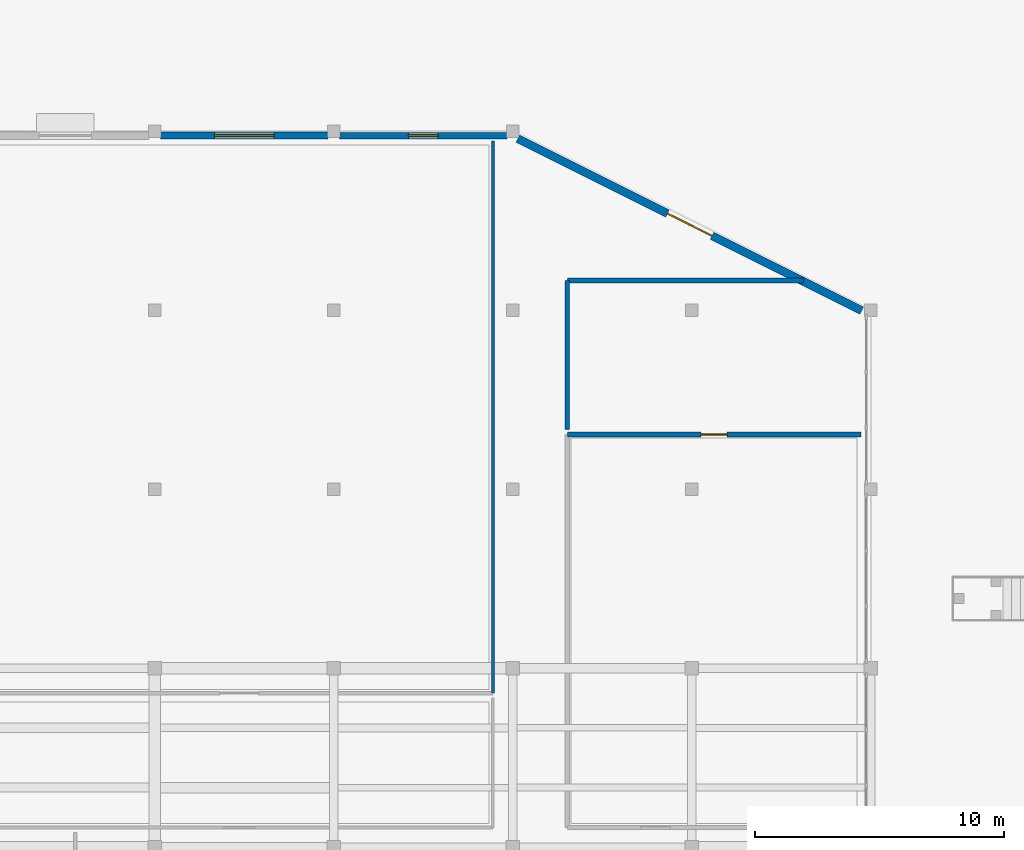
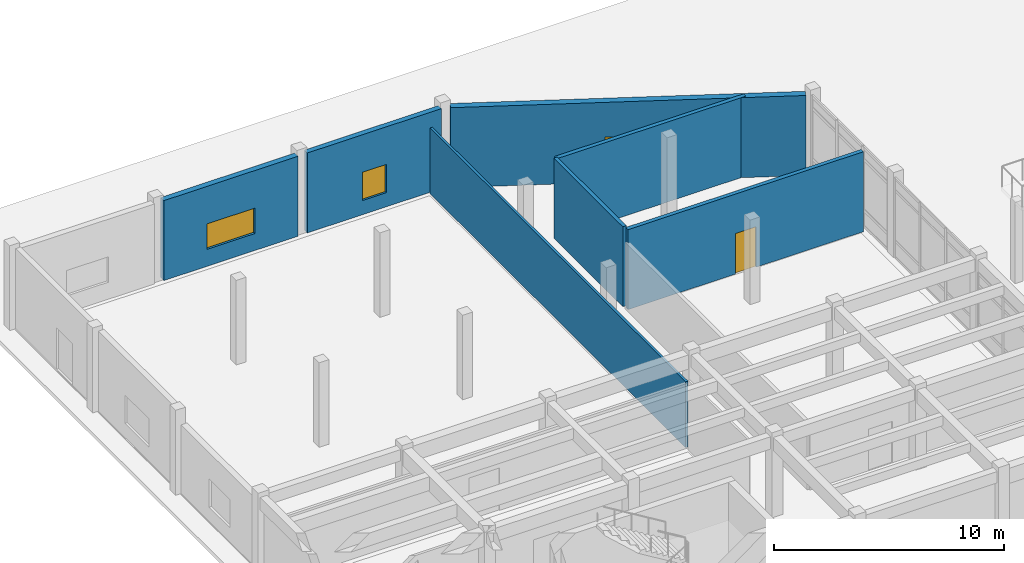
# One storey, part 34 of 58: 7 walls, 2 doors, 2 windows, 4 openings.
"""IFC4 building model written with IfcOpenShell, lengths in metres."""

from ifc_helpers import new_model, si_unit, direction, frame, frame_2d, origin, place, context, subcontext, project, spatial, rectangle, extrude, material, layer, layer_set, type_object, element, fill, save


model = new_model("IFC4")

# Units and contexts
model_context = context("Model", 3, precision=1e-05, world=origin(), true_north=direction((0.0, 1.0)))
body_context = subcontext(model_context, "Body", "Model", "MODEL_VIEW")
ifc_project = project(units=[si_unit("LENGTHUNIT", "METRE"), si_unit("AREAUNIT", "SQUARE_METRE"), si_unit("VOLUMEUNIT", "CUBIC_METRE"), si_unit("PLANEANGLEUNIT", "RADIAN"), si_unit("MASSUNIT", "GRAM", prefix="KILO")], contexts=[model_context])

# Site, building, storey
site_placement = place(None, origin())
site = spatial("IfcSite", under=ifc_project, at=site_placement, CompositionType="ELEMENT")
building_placement = place(site_placement, origin())
building = spatial("IfcBuilding", under=site, at=building_placement, Name="Brisavento Harbour Community Centre", CompositionType="ELEMENT")
storey_placement = place(building_placement, origin())
storey = spatial("IfcBuildingStorey", under=building, at=storey_placement, Name="L00", CompositionType="ELEMENT", Elevation=0.0)

# Wall, opening, window
ifc_material_1 = material(Name="Terracotta masonry unit", Category="masonry")
ifc_layer_1 = layer(ifc_material_1, 0.260009765625, Name="Terracotta masonry unit")
ifc_layer_set_1 = layer_set([ifc_layer_1], Name="Terracotta masonry unit")
wall_type_1 = type_object("IfcWallType", Name="WL-EXT-260", PredefinedType="SOLIDWALL", material=ifc_layer_set_1)
wall_1_placement = place(storey_placement, frame((14.635009765625, 107.820068359375, 0.0), z_axis=(0.0, 0.0, 1.0), x_axis=(1.0, 0.0, 0.0)))
wall_1 = element("IfcWall", 1, at=wall_1_placement, inside=storey, type_object=wall_type_1, Name="L00 V5 exterior wall 0167", PredefinedType="SOLIDWALL", context=body_context, shape_type="SweptSolid", body=[
    extrude(rectangle(XDim=6.72998046875, YDim=0.260009765625, at=frame_2d((3.364990234375, 0.0))), origin(), (0.0, 0.0, 1.0), 4.239990234375),
])
opening_1_placement = place(wall_1_placement, frame((2.764892578125, 0.0, 0.75)))
opening_1 = element("IfcOpeningElement", 2, at=opening_1_placement, cuts=wall_1, Name="Opening W-14", PredefinedType="OPENING", context=body_context, shape_type="SweptSolid", body=[
    extrude(rectangle(XDim=1.199951171875, YDim=1.5, at=frame_2d((0.60009765625, 0.75))), frame((0.0, 0.14013671875, 0.0), z_axis=(0.0, -1.0, 0.0), x_axis=(1.0, 0.0, 0.0)), (0.0, 0.0, 1.0), 0.280029296875),
])
ifc_material_2 = material(Name="Solar-control laminated low-E glass", Category="glass")
window_type_1 = type_object("IfcWindowType", Name="WIN-CAS-14", PartitioningType="SINGLE_PANEL", PredefinedType="WINDOW", material=ifc_material_2)
window_1_placement = place(opening_1_placement, origin())
window_1 = element("IfcWindow", 3, at=window_1_placement, inside=storey, type_object=window_type_1, Name="L00 V5 impact casement window 0050", OverallHeight=1.5, OverallWidth=1.199951171875, PartitioningType="SINGLE_PANEL", PredefinedType="WINDOW", context=body_context, shape_type="SweptSolid", body=[
    extrude(rectangle(XDim=1.199951171875, YDim=1.5, at=frame_2d((0.60009765625, 0.75))), frame((0.0, 0.030029296875, 0.0), z_axis=(0.0, -1.0, 0.0), x_axis=(1.0, 0.0, 0.0)), (0.0, 0.0, 1.0), 0.06005859375),
])
fill(opening_1, window_1)

ifc_material_3 = material(Name="Precast concrete C40/50", Category="concrete")
ifc_layer_2 = layer(ifc_material_3, 0.280029296875, Name="Precast concrete C40/50")
ifc_layer_set_2 = layer_set([ifc_layer_2], Name="Precast concrete C40/50")
wall_type_2 = type_object("IfcWallType", Name="WL-EXT-280", PredefinedType="SOLIDWALL", material=ifc_layer_set_2)
wall_2_placement = place(storey_placement, frame((7.43505859375, 107.820068359375, 0.0), z_axis=(0.0, 0.0, 1.0), x_axis=(1.0, 0.0, 0.0)))
wall_2 = element("IfcWall", 4, at=wall_2_placement, inside=storey, type_object=wall_type_2, Name="L00 V5 exterior wall 0166", PredefinedType="SOLIDWALL", context=body_context, shape_type="SweptSolid", body=[
    extrude(rectangle(XDim=6.72998046875, YDim=0.280029296875, at=frame_2d((3.364990234375, 0.0))), origin(), (0.0, 0.0, 1.0), 4.239990234375),
])
opening_2_placement = place(wall_2_placement, frame((2.1650390625, 0.0, 0.89990234375)))
opening_2 = element("IfcOpeningElement", 5, at=opening_2_placement, cuts=wall_2, Name="Opening W-13", PredefinedType="OPENING", context=body_context, shape_type="SweptSolid", body=[
    extrude(rectangle(XDim=2.39990234375, YDim=1.35009765625, at=frame_2d((1.199951171875, 0.675048828125))), frame((0.0, 0.14990234375, 0.0), z_axis=(0.0, -1.0, 0.0), x_axis=(1.0, 0.0, 0.0)), (0.0, 0.0, 1.0), 0.300048828125),
])
window_type_2 = type_object("IfcWindowType", Name="WIN-CAS-13", PartitioningType="SINGLE_PANEL", PredefinedType="WINDOW", material=ifc_material_2)
window_2_placement = place(opening_2_placement, origin())
window_2 = element("IfcWindow", 6, at=window_2_placement, inside=storey, type_object=window_type_2, Name="L00 V5 impact casement window 0049", OverallHeight=1.35009765625, OverallWidth=2.39990234375, PartitioningType="SINGLE_PANEL", PredefinedType="WINDOW", context=body_context, shape_type="SweptSolid", body=[
    extrude(rectangle(XDim=2.39990234375, YDim=1.35009765625, at=frame_2d((1.199951171875, 0.675048828125))), frame((0.0, 0.030029296875, 0.0), z_axis=(0.0, -1.0, 0.0), x_axis=(1.0, 0.0, 0.0)), (0.0, 0.0, 1.0), 0.06005859375),
])
fill(opening_2, window_2)

# Wall, opening, door
ifc_material_4 = material(Name="Concrete C35/45", Category="concrete")
ifc_layer_3 = layer(ifc_material_4, 0.320068359375, Name="Concrete C35/45")
ifc_layer_set_3 = layer_set([ifc_layer_3], Name="Concrete C35/45")
wall_type_3 = type_object("IfcWallType", Name="WL-EXT-320", PredefinedType="SOLIDWALL", material=ifc_layer_set_3)
wall_3_placement = place(storey_placement, frame((21.80615234375, 107.69580078125, 0.0), z_axis=(0.0, 0.0, 1.0), x_axis=(0.89442087371, -0.447226229857, 0.0)))
wall_3 = element("IfcWall", 7, at=wall_3_placement, inside=storey, type_object=wall_type_3, Name="L00 V5 exterior wall 0164", PredefinedType="SOLIDWALL", context=body_context, shape_type="SweptSolid", body=[
    extrude(rectangle(XDim=15.458740234375, YDim=0.320068359375, at=frame_2d((7.7294921875, 0.0))), origin(), (0.0, 0.0, 1.0), 4.239990234375),
])
opening_3_placement = place(wall_3_placement, frame((6.7294921875, 0.0, 0.0)))
opening_3 = element("IfcOpeningElement", 8, at=opening_3_placement, cuts=wall_3, Name="Opening ED-02", PredefinedType="OPENING", context=body_context, shape_type="SweptSolid", body=[
    extrude(rectangle(XDim=2.0, YDim=2.39990234375, at=frame_2d((1.0, 1.199951171875))), frame((0.0, 0.169921875, 0.0), z_axis=(0.0, -1.0, 0.0), x_axis=(1.0, 0.0, 0.0)), (0.0, 0.0, 1.0), 0.340087890625),
])
ifc_material_5 = material(Name="Marine-anodised aluminium AW-6063-T6", Category="aluminium")
door_type_1 = type_object("IfcDoorType", Name="DR-EXT-200x240", OperationType="NOTDEFINED", PredefinedType="DOOR", material=ifc_material_5)
door_1_placement = place(opening_3_placement, origin())
door_1 = element("IfcDoor", 9, at=door_1_placement, inside=storey, type_object=door_type_1, Name="L00 V5 exterior exit door 025", OperationType="SINGLE_SWING_RIGHT", OverallHeight=2.39990234375, OverallWidth=2.0, PredefinedType="DOOR", context=body_context, shape_type="SweptSolid", body=[
    extrude(rectangle(XDim=2.0, YDim=2.39990234375, at=frame_2d((1.0, 1.199951171875))), frame((0.0, 0.02490234375, 0.0), z_axis=(0.0, -1.0, 0.0), x_axis=(1.0, 0.0, 0.0)), (0.0, 0.0, 1.0), 0.050048828125),
])
fill(opening_3, door_1)

ifc_material_6 = material(Name="Concrete masonry blockwork", Category="masonry")
ifc_layer_4 = layer(ifc_material_6, 0.199951171875, Name="Concrete masonry blockwork")
ifc_layer_set_4 = layer_set([ifc_layer_4], Name="Concrete masonry blockwork")
wall_type_4 = type_object("IfcWallType", Name="WL-FIR-200", PredefinedType="PARTITIONING", material=ifc_layer_set_4)
wall_4_placement = place(storey_placement, frame((35.60009765625, 95.800048828125, 0.0), z_axis=(0.0, 0.0, 1.0), x_axis=(-1.0, 0.0, 0.0)))
wall_4 = element("IfcWall", 10, at=wall_4_placement, inside=storey, type_object=wall_type_4, Name="L00 Teaching Kitchen partition 0108", PredefinedType="PARTITIONING", context=body_context, shape_type="SweptSolid", body=[
    extrude(rectangle(XDim=11.800048828125, YDim=0.199951171875, at=frame_2d((5.89990234375, 0.0))), origin(), (0.0, 0.0, 1.0), 4.239990234375),
])
opening_4_placement = place(wall_4_placement, frame((5.375, 0.0, 0.0)))
opening_4 = element("IfcOpeningElement", 11, at=opening_4_placement, cuts=wall_4, Name="Opening FD-02", PredefinedType="OPENING", context=body_context, shape_type="SweptSolid", body=[
    extrude(rectangle(XDim=1.050048828125, YDim=2.14990234375, at=frame_2d((0.52490234375, 1.074951171875))), frame((0.0, 0.10986328125, 0.0), z_axis=(0.0, -1.0, 0.0), x_axis=(1.0, 0.0, 0.0)), (0.0, 0.0, 1.0), 0.219970703125),
])
ifc_material_7 = material(Name="Fire-rated hardwood door", Category="wood")
door_type_2 = type_object("IfcDoorType", Name="DR-FIRE-105x215", OperationType="NOTDEFINED", PredefinedType="DOOR", material=ifc_material_7)
door_2_placement = place(opening_4_placement, origin())
door_2 = element("IfcDoor", 12, at=door_2_placement, inside=storey, type_object=door_type_2, Name="L00 Cold and Dry Food Store door 0046", OperationType="SINGLE_SWING_LEFT", OverallHeight=2.14990234375, OverallWidth=1.050048828125, PredefinedType="DOOR", context=body_context, shape_type="SweptSolid", body=[
    extrude(rectangle(XDim=1.050048828125, YDim=2.14990234375, at=frame_2d((0.52490234375, 1.074951171875))), frame((0.0, 0.02490234375, 0.0), z_axis=(0.0, -1.0, 0.0), x_axis=(1.0, 0.0, 0.0)), (0.0, 0.0, 1.0), 0.050048828125),
])
fill(opening_4, door_2)

# Walls
wall_5_placement = place(storey_placement, frame((33.287109375, 102.0, 0.0), z_axis=(0.0, 0.0, 1.0), x_axis=(-1.0, 0.0, 0.0)))
element("IfcWall", 13, at=wall_5_placement, inside=storey, type_object=wall_type_4, Name="L00 Cold and Dry Food Store partition 0126", PredefinedType="PARTITIONING", context=body_context, shape_type="SweptSolid", body=[
    extrude(rectangle(XDim=9.487060546875, YDim=0.199951171875, at=frame_2d((4.74365234375, 0.0))), origin(), (0.0, 0.0, 1.0), 4.239990234375),
])
ifc_material_8 = material(Name="Gypsum metal-stud partition", Category="other")
ifc_layer_5 = layer(ifc_material_8, 0.1201171875, Name="Gypsum metal-stud partition")
ifc_layer_set_5 = layer_set([ifc_layer_5], Name="Gypsum metal-stud partition")
wall_type_5 = type_object("IfcWallType", Name="WL-PRT-120", PredefinedType="PARTITIONING", material=ifc_layer_set_5)
wall_6_placement = place(storey_placement, frame((20.800048828125, 85.39990234375, 0.0), z_axis=(0.0, 0.0, 1.0), x_axis=(0.0, 1.0, 0.0)))
element("IfcWall", 14, at=wall_6_placement, inside=storey, type_object=wall_type_5, Name="L00 Community Dining Hall partition 0106", PredefinedType="PARTITIONING", context=body_context, shape_type="SweptSolid", body=[
    extrude(rectangle(XDim=22.2001953125, YDim=0.1201171875, at=frame_2d((11.10009765625, 0.0))), origin(), (0.0, 0.0, 1.0), 3.489990234375),
])
ifc_material_9 = material(Name="Acoustic gypsum stud partition", Category="other")
ifc_layer_6 = layer(ifc_material_9, 0.179931640625, Name="Acoustic gypsum stud partition")
ifc_layer_set_6 = layer_set([ifc_layer_6], Name="Acoustic gypsum stud partition")
wall_type_6 = type_object("IfcWallType", Name="WL-PRT-180", PredefinedType="PARTITIONING", material=ifc_layer_set_6)
wall_7_placement = place(storey_placement, frame((23.800048828125, 102.0, 0.0), z_axis=(0.0, 0.0, 1.0), x_axis=(0.0, -1.0, 0.0)))
element("IfcWall", 15, at=wall_7_placement, inside=storey, type_object=wall_type_6, Name="L00 Cold and Dry Food Store partition 0127", PredefinedType="PARTITIONING", context=body_context, shape_type="SweptSolid", body=[
    extrude(rectangle(XDim=6.0, YDim=0.179931640625, at=frame_2d((3.0, 0.0))), origin(), (0.0, 0.0, 1.0), 4.239990234375),
])

save(model, "model.ifc")
